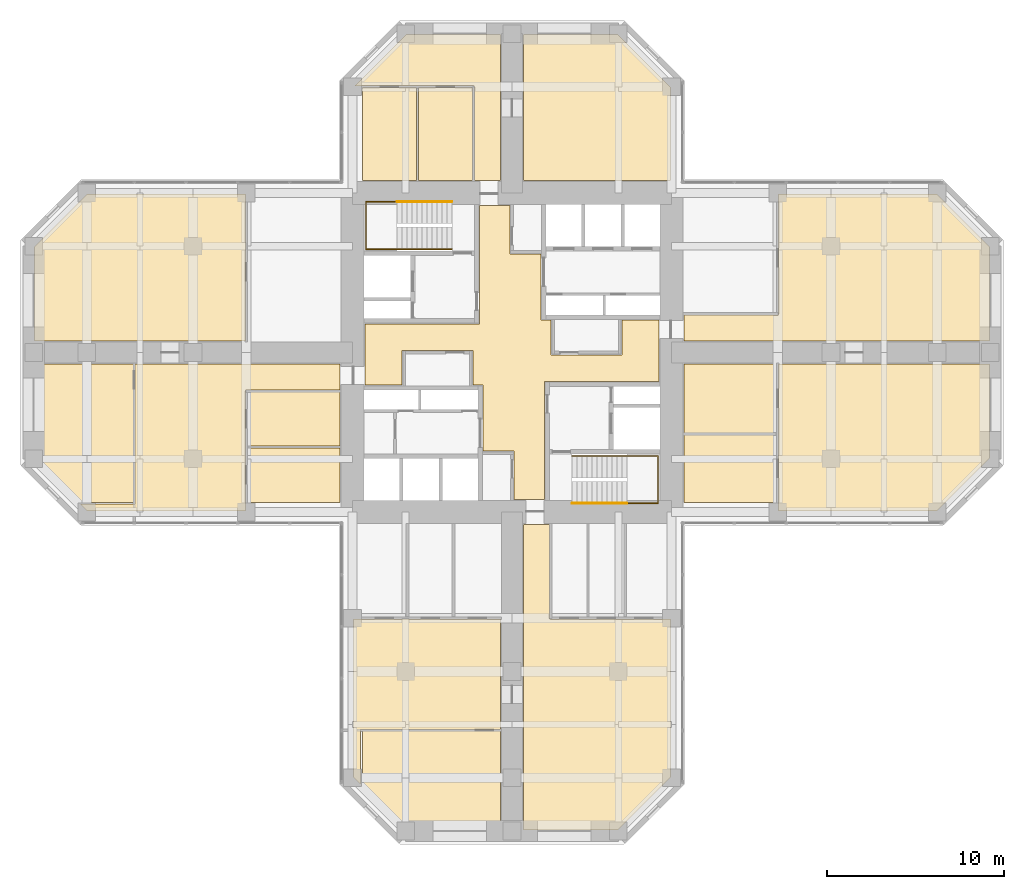
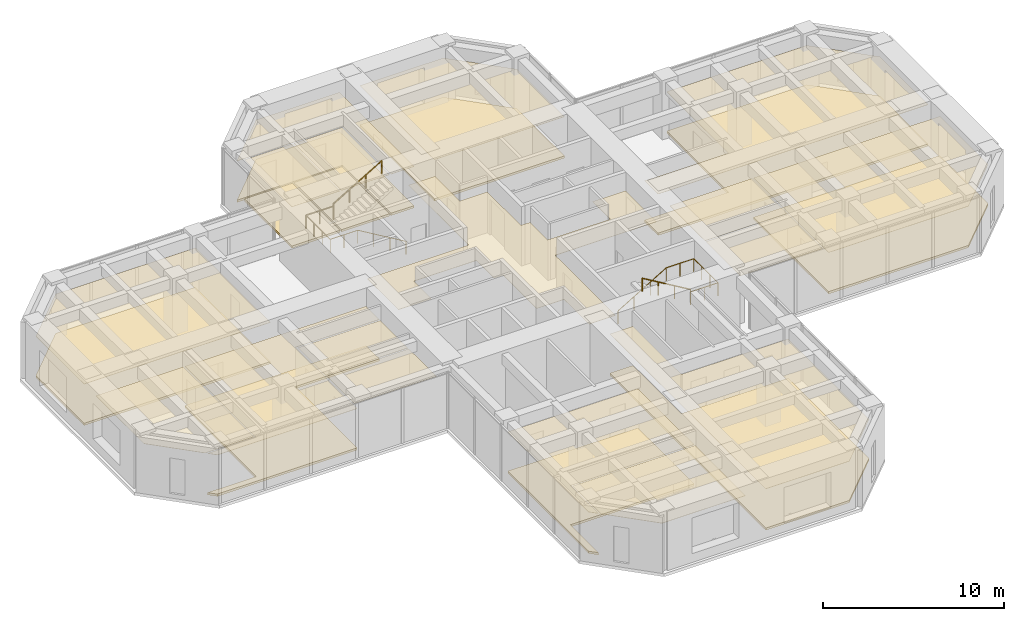
# One storey, part 12 of 12: 27 coverings, 4 railings.
"""IFC4 building model written with IfcOpenShell, lengths in metres."""

from ifc_helpers import new_model, si_unit, direction, frame, origin, origin_2d, place, context, subcontext, project, spatial, polyline, circle, outline, extrude, material, layer, layer_set, constituent, constituent_set, type_object, element, save


model = new_model("IFC4")

# Units and contexts
model_context = context("Model", 3, precision=1e-05, world=origin(), true_north=direction((0.0, 1.0)))
body_context = subcontext(model_context, "Body", "Model", "MODEL_VIEW")
ifc_project = project(units=[si_unit("LENGTHUNIT", "METRE"), si_unit("AREAUNIT", "SQUARE_METRE"), si_unit("VOLUMEUNIT", "CUBIC_METRE"), si_unit("PLANEANGLEUNIT", "RADIAN"), si_unit("MASSUNIT", "GRAM", prefix="KILO")], contexts=[model_context])

# Site, building, storey
site_placement = place(None, origin())
site = spatial("IfcSite", under=ifc_project, at=site_placement, CompositionType="ELEMENT")
building_placement = place(site_placement, origin())
building = spatial("IfcBuilding", under=site, at=building_placement, Name="Torre Cruceta", CompositionType="ELEMENT")
storey_placement = place(building_placement, frame((0.0, 0.0, 140.5)))
storey = spatial("IfcBuildingStorey", under=building, at=storey_placement, Name="L34", CompositionType="ELEMENT", Elevation=140.5)

# Railings
ifc_material_1 = material(Name="Stainless steel 1.4401", Category="steel")
railing_type = type_object("IfcRailingType", Name="HANDRAIL 900", PredefinedType="HANDRAIL", material=ifc_material_1)
railing_1_placement = place(storey_placement, frame((-3.39990234375, 5.8349609375, 0.166748046875)))
element("IfcRailing", 1, at=railing_1_placement, inside=storey, type_object=railing_type, Name="Handrail HR1 ST1 L34", PredefinedType="HANDRAIL", context=body_context, shape_type="SweptSolid", body=[
    extrude(circle(Radius=0.02392578125, at=origin_2d()), frame((0.0, 0.0, 0.8759765625), z_axis=(-0.859308565015, 0.0, 0.511457515432), x_axis=(0.0, -1.0, 0.0)), (0.0, 0.0, 1.0), 3.58447265625),
    extrude(circle(Radius=0.02392578125, at=origin_2d()), frame((-3.080078125, 0.0, 2.708984375), z_axis=(-1.0, 0.0, 0.0), x_axis=(0.0, -1.0, 0.0)), (0.0, 0.0, 1.0), 1.760009765625),
    extrude(circle(Radius=0.02392578125, at=origin_2d()), frame((-4.840087890625, 0.0, 2.708984375), z_axis=(0.0, 1.0, 0.0), x_axis=(-1.0, 0.0, 0.0)), (0.0, 0.0, 1.0), 2.679931640625),
    extrude(circle(Radius=0.02392578125, at=origin_2d()), frame((-4.840087890625, 2.679931640625, 2.708984375), z_axis=(1.0, 0.0, 0.0), x_axis=(0.0, 1.0, 0.0)), (0.0, 0.0, 1.0), 1.760009765625),
    extrude(circle(Radius=0.02099609375, at=origin_2d()), origin(), (0.0, 0.0, 1.0), 0.851806640625),
    extrude(circle(Radius=0.02099609375, at=origin_2d()), frame((-1.026611328125, 0.0, 0.611083984375)), (0.0, 0.0, 1.0), 0.851806640625),
    extrude(circle(Radius=0.02099609375, at=origin_2d()), frame((-2.053466796875, 0.0, 1.22216796875)), (0.0, 0.0, 1.0), 0.851806640625),
    extrude(circle(Radius=0.02099609375, at=origin_2d()), frame((-3.080078125, 0.0, 1.833251953125)), (0.0, 0.0, 1.0), 0.851806640625),
    extrude(circle(Radius=0.02099609375, at=origin_2d()), frame((-3.9599609375, 0.0, 1.833251953125)), (0.0, 0.0, 1.0), 0.851806640625),
    extrude(circle(Radius=0.02099609375, at=origin_2d()), frame((-4.840087890625, 0.0, 1.833251953125)), (0.0, 0.0, 1.0), 0.851806640625),
    extrude(circle(Radius=0.02099609375, at=origin_2d()), frame((-4.840087890625, 0.893310546875, 1.833251953125)), (0.0, 0.0, 1.0), 0.851806640625),
    extrude(circle(Radius=0.02099609375, at=origin_2d()), frame((-4.840087890625, 1.78662109375, 1.833251953125)), (0.0, 0.0, 1.0), 0.851806640625),
    extrude(circle(Radius=0.02099609375, at=origin_2d()), frame((-4.840087890625, 2.679931640625, 1.833251953125)), (0.0, 0.0, 1.0), 0.851806640625),
    extrude(circle(Radius=0.02099609375, at=origin_2d()), frame((-3.9599609375, 2.679931640625, 1.833251953125)), (0.0, 0.0, 1.0), 0.851806640625),
    extrude(circle(Radius=0.02099609375, at=origin_2d()), frame((-3.080078125, 2.679931640625, 1.833251953125)), (0.0, 0.0, 1.0), 0.851806640625),
])
railing_2_placement = place(storey_placement, frame((-6.47998046875, 8.514892578125, 2.166748046875)))
element("IfcRailing", 2, at=railing_2_placement, inside=storey, type_object=railing_type, Name="Handrail HR1 ST1 L34", PredefinedType="HANDRAIL", context=body_context, shape_type="SweptSolid", body=[
    extrude(circle(Radius=0.02392578125, at=origin_2d()), frame((0.0, 0.0, 0.8759765625), z_axis=(0.859308565015, 0.0, 0.511457515432), x_axis=(0.0, 1.0, 0.0)), (0.0, 0.0, 1.0), 3.58447265625),
    extrude(circle(Radius=0.02099609375, at=origin_2d()), origin(), (0.0, 0.0, 1.0), 0.851806640625),
    extrude(circle(Radius=0.02099609375, at=origin_2d()), frame((1.026611328125, 0.0, 0.611083984375)), (0.0, 0.0, 1.0), 0.851806640625),
    extrude(circle(Radius=0.02099609375, at=origin_2d()), frame((2.053466796875, 0.0, 1.22216796875)), (0.0, 0.0, 1.0), 0.851806640625),
    extrude(circle(Radius=0.02099609375, at=origin_2d()), frame((3.080078125, 0.0, 1.833251953125)), (0.0, 0.0, 1.0), 0.851806640625),
])
railing_3_placement = place(storey_placement, frame((3.39990234375, -5.8349609375, 0.166748046875)))
element("IfcRailing", 3, at=railing_3_placement, inside=storey, type_object=railing_type, Name="Handrail HR1 ST2 L34", PredefinedType="HANDRAIL", context=body_context, shape_type="SweptSolid", body=[
    extrude(circle(Radius=0.02392578125, at=origin_2d()), frame((0.0, 0.0, 0.8759765625), z_axis=(0.859308565015, 0.0, 0.511457515432), x_axis=(0.0, 1.0, 0.0)), (0.0, 0.0, 1.0), 3.58447265625),
    extrude(circle(Radius=0.02392578125, at=origin_2d()), frame((3.080078125, 0.0, 2.708984375), z_axis=(1.0, 0.0, 0.0), x_axis=(0.0, 1.0, 0.0)), (0.0, 0.0, 1.0), 1.760009765625),
    extrude(circle(Radius=0.02392578125, at=origin_2d()), frame((4.840087890625, 0.0, 2.708984375), z_axis=(0.0, -1.0, 0.0), x_axis=(1.0, 0.0, 0.0)), (0.0, 0.0, 1.0), 2.679931640625),
    extrude(circle(Radius=0.02392578125, at=origin_2d()), frame((4.840087890625, -2.679931640625, 2.708984375), z_axis=(-1.0, 0.0, 0.0), x_axis=(0.0, -1.0, 0.0)), (0.0, 0.0, 1.0), 1.760009765625),
    extrude(circle(Radius=0.02099609375, at=origin_2d()), origin(), (0.0, 0.0, 1.0), 0.851806640625),
    extrude(circle(Radius=0.02099609375, at=origin_2d()), frame((1.026611328125, 0.0, 0.611083984375)), (0.0, 0.0, 1.0), 0.851806640625),
    extrude(circle(Radius=0.02099609375, at=origin_2d()), frame((2.053466796875, 0.0, 1.22216796875)), (0.0, 0.0, 1.0), 0.851806640625),
    extrude(circle(Radius=0.02099609375, at=origin_2d()), frame((3.080078125, 0.0, 1.833251953125)), (0.0, 0.0, 1.0), 0.851806640625),
    extrude(circle(Radius=0.02099609375, at=origin_2d()), frame((3.9599609375, 0.0, 1.833251953125)), (0.0, 0.0, 1.0), 0.851806640625),
    extrude(circle(Radius=0.02099609375, at=origin_2d()), frame((4.840087890625, 0.0, 1.833251953125)), (0.0, 0.0, 1.0), 0.851806640625),
    extrude(circle(Radius=0.02099609375, at=origin_2d()), frame((4.840087890625, -0.893310546875, 1.833251953125)), (0.0, 0.0, 1.0), 0.851806640625),
    extrude(circle(Radius=0.02099609375, at=origin_2d()), frame((4.840087890625, -1.78662109375, 1.833251953125)), (0.0, 0.0, 1.0), 0.851806640625),
    extrude(circle(Radius=0.02099609375, at=origin_2d()), frame((4.840087890625, -2.679931640625, 1.833251953125)), (0.0, 0.0, 1.0), 0.851806640625),
    extrude(circle(Radius=0.02099609375, at=origin_2d()), frame((3.9599609375, -2.679931640625, 1.833251953125)), (0.0, 0.0, 1.0), 0.851806640625),
    extrude(circle(Radius=0.02099609375, at=origin_2d()), frame((3.080078125, -2.679931640625, 1.833251953125)), (0.0, 0.0, 1.0), 0.851806640625),
])
railing_4_placement = place(storey_placement, frame((6.47998046875, -8.514892578125, 2.166748046875)))
element("IfcRailing", 4, at=railing_4_placement, inside=storey, type_object=railing_type, Name="Handrail HR1 ST2 L34", PredefinedType="HANDRAIL", context=body_context, shape_type="SweptSolid", body=[
    extrude(circle(Radius=0.02392578125, at=origin_2d()), frame((0.0, 0.0, 0.8759765625), z_axis=(-0.859308565015, 0.0, 0.511457515432), x_axis=(0.0, -1.0, 0.0)), (0.0, 0.0, 1.0), 3.58447265625),
    extrude(circle(Radius=0.02099609375, at=origin_2d()), origin(), (0.0, 0.0, 1.0), 0.851806640625),
    extrude(circle(Radius=0.02099609375, at=origin_2d()), frame((-1.026611328125, 0.0, 0.611083984375)), (0.0, 0.0, 1.0), 0.851806640625),
    extrude(circle(Radius=0.02099609375, at=origin_2d()), frame((-2.053466796875, 0.0, 1.22216796875)), (0.0, 0.0, 1.0), 0.851806640625),
    extrude(circle(Radius=0.02099609375, at=origin_2d()), frame((-3.080078125, 0.0, 1.833251953125)), (0.0, 0.0, 1.0), 0.851806640625),
])

# Coverings
ifc_material_2 = material(Name="Steel DX51D", Category="steel")
ifc_constituent_1 = constituent(ifc_material_2, Name="Panel casing")
ifc_material_3 = material(Name="Calcium sulphate", Category="gypsum")
ifc_constituent_2 = constituent(ifc_material_3, Name="Panel core")
ifc_constituent_set = constituent_set(constituents=[ifc_constituent_1, ifc_constituent_2], Name="Raised access floor panel")
covering_type_1 = type_object("IfcCoveringType", Name="RAISED ACCESS FLOOR 150", PredefinedType="FLOORING", material=ifc_constituent_set)
covering_1_placement = place(storey_placement, origin())
element("IfcCovering", 5, at=covering_1_placement, inside=storey, type_object=covering_type_1, Name="Raised floor L34-027", PredefinedType="FLOORING", context=body_context, shape_type="SweptSolid", body=[
    extrude(outline(polyline([(-2.22509765625, 9.699951171875), (-5.28759765625, 9.699951171875), (-5.28759765625, 14.949951171875), (-2.22509765625, 14.949951171875), (-2.22509765625, 9.699951171875)])), origin(), (0.0, 0.0, 1.0), 0.14990234375),
])
covering_2_placement = place(storey_placement, origin())
element("IfcCovering", 6, at=covering_2_placement, inside=storey, type_object=covering_type_1, Name="Raised floor L34-028", PredefinedType="FLOORING", context=body_context, shape_type="SweptSolid", body=[
    extrude(outline(polyline([(-5.387451171875, 9.699951171875), (-8.449951171875, 9.699951171875), (-8.449951171875, 14.949951171875), (-5.387451171875, 14.949951171875), (-5.387451171875, 9.699951171875)])), origin(), (0.0, 0.0, 1.0), 0.14990234375),
])
covering_3_placement = place(storey_placement, origin())
element("IfcCovering", 7, at=covering_3_placement, inside=storey, type_object=covering_type_1, Name="Raised floor L34-029", PredefinedType="FLOORING", context=body_context, shape_type="SweptSolid", body=[
    extrude(outline(polyline([(-0.64990234375, 17.949951171875), (-0.64990234375, 9.699951171875), (-2.125, 9.699951171875), (-2.125, 15.050048828125), (-8.87939453125, 15.050048828125), (-5.979248046875, 17.949951171875), (-0.64990234375, 17.949951171875)])), origin(), (0.0, 0.0, 1.0), 0.14990234375),
])
covering_4_placement = place(storey_placement, origin())
element("IfcCovering", 8, at=covering_4_placement, inside=storey, type_object=covering_type_1, Name="Raised floor L34-030", PredefinedType="FLOORING", context=body_context, shape_type="SweptSolid", body=[
    extrude(outline(polyline([(5.979248046875, 17.949951171875), (8.949951171875, 14.979248046875), (8.949951171875, 9.699951171875), (0.64990234375, 9.699951171875), (0.64990234375, 17.949951171875), (5.979248046875, 17.949951171875)])), origin(), (0.0, 0.0, 1.0), 0.14990234375),
])
covering_5_placement = place(storey_placement, origin())
element("IfcCovering", 9, at=covering_5_placement, inside=storey, type_object=covering_type_1, Name="Raised floor L34-034", PredefinedType="FLOORING", context=body_context, shape_type="SweptSolid", body=[
    extrude(outline(polyline([(26.949951171875, 0.64990234375), (9.699951171875, 0.64990234375), (9.699951171875, 2.125), (15.050048828125, 2.125), (15.050048828125, 8.949951171875), (23.979248046875, 8.949951171875), (26.949951171875, 5.979248046875), (26.949951171875, 0.64990234375)])), origin(), (0.0, 0.0, 1.0), 0.14990234375),
])
covering_6_placement = place(storey_placement, origin())
element("IfcCovering", 10, at=covering_6_placement, inside=storey, type_object=covering_type_1, Name="Raised floor L34-035", PredefinedType="FLOORING", context=body_context, shape_type="SweptSolid", body=[
    extrude(outline(polyline([(26.949951171875, -5.979248046875), (23.979248046875, -8.949951171875), (15.050048828125, -8.949951171875), (15.050048828125, -0.64990234375), (26.949951171875, -0.64990234375), (26.949951171875, -5.979248046875)])), origin(), (0.0, 0.0, 1.0), 0.14990234375),
])
covering_7_placement = place(storey_placement, origin())
element("IfcCovering", 11, at=covering_7_placement, inside=storey, type_object=covering_type_1, Name="Raised floor L34-043", PredefinedType="FLOORING", context=body_context, shape_type="SweptSolid", body=[
    extrude(outline(polyline([(2.125, -9.699951171875), (2.125, -15.050048828125), (8.949951171875, -15.050048828125), (8.949951171875, -23.979248046875), (5.979248046875, -26.949951171875), (0.64990234375, -26.949951171875), (0.64990234375, -9.699951171875), (2.125, -9.699951171875)])), origin(), (0.0, 0.0, 1.0), 0.14990234375),
])
covering_8_placement = place(storey_placement, origin())
element("IfcCovering", 12, at=covering_8_placement, inside=storey, type_object=covering_type_1, Name="Raised floor L34-044", PredefinedType="FLOORING", context=body_context, shape_type="SweptSolid", body=[
    extrude(outline(polyline([(-8.550048828125, -21.27001953125), (-8.550048828125, -24.37939453125), (-8.949951171875, -23.979248046875), (-8.949951171875, -15.050048828125), (-0.64990234375, -15.050048828125), (-0.64990234375, -21.27001953125), (-8.550048828125, -21.27001953125)])), origin(), (0.0, 0.0, 1.0), 0.14990234375),
])
covering_9_placement = place(storey_placement, origin())
element("IfcCovering", 13, at=covering_9_placement, inside=storey, type_object=covering_type_1, Name="Raised floor L34-049", PredefinedType="FLOORING", context=body_context, shape_type="SweptSolid", body=[
    extrude(outline(polyline([(-9.699951171875, -2.125), (-15.050048828125, -2.125), (-15.050048828125, -8.949951171875), (-23.979248046875, -8.949951171875), (-24.37939453125, -8.550048828125), (-21.27001953125, -8.550048828125), (-21.27001953125, -0.64990234375), (-9.699951171875, -0.64990234375), (-9.699951171875, -2.125)])), origin(), (0.0, 0.0, 1.0), 0.14990234375),
])
covering_10_placement = place(storey_placement, origin())
element("IfcCovering", 14, at=covering_10_placement, inside=storey, type_object=covering_type_1, Name="Raised floor L34-050", PredefinedType="FLOORING", context=body_context, shape_type="SweptSolid", body=[
    extrude(outline(polyline([(-23.979248046875, 8.949951171875), (-15.050048828125, 8.949951171875), (-15.050048828125, 0.64990234375), (-26.949951171875, 0.64990234375), (-26.949951171875, 5.979248046875), (-23.979248046875, 8.949951171875)])), origin(), (0.0, 0.0, 1.0), 0.14990234375),
])
ifc_material_4 = material(Name="Mineral fibre ceiling tile", Category="gypsum")
ifc_layer = layer(ifc_material_4, 0.02001953125)
ifc_layer_set = layer_set([ifc_layer], Name="Mineral fibre ceiling tile")
covering_type_2 = type_object("IfcCoveringType", Name="SUSPENDED CEILING 20", PredefinedType="CEILING", material=ifc_layer_set)
covering_11_placement = place(storey_placement, frame((0.0, 0.0, 2.780029296875)))
element("IfcCovering", 15, at=covering_11_placement, inside=storey, type_object=covering_type_2, Name="Ceiling L34-001", PredefinedType="CEILING", context=body_context, shape_type="SweptSolid", body=[
    extrude(outline(polyline([(1.824951171875, -8.300048828125), (0.125, -8.300048828125), (0.125, -5.550048828125), (-1.625, -5.550048828125), (-1.625, -1.824951171875), (-2.199951171875, -1.824951171875), (-2.199951171875, 0.125), (-6.199951171875, 0.125), (-6.199951171875, -1.824951171875), (-8.300048828125, -1.824951171875), (-8.300048828125, 1.625), (-1.824951171875, 1.625), (-1.824951171875, 8.300048828125), (-0.125, 8.300048828125), (-0.125, 5.550048828125), (1.625, 5.550048828125), (1.625, 1.824951171875), (2.199951171875, 1.824951171875), (2.199951171875, -0.125), (6.199951171875, -0.125), (6.199951171875, 1.824951171875), (8.300048828125, 1.824951171875), (8.300048828125, -1.625), (1.824951171875, -1.625), (1.824951171875, -8.300048828125)])), origin(), (0.0, 0.0, 1.0), 0.02001953125),
])
covering_12_placement = place(storey_placement, frame((0.0, 0.0, 2.780029296875)))
element("IfcCovering", 16, at=covering_12_placement, inside=storey, type_object=covering_type_2, Name="Ceiling L34-027", PredefinedType="CEILING", context=body_context, shape_type="SweptSolid", body=[
    extrude(outline(polyline([(-2.22509765625, 9.699951171875), (-5.28759765625, 9.699951171875), (-5.28759765625, 14.949951171875), (-2.22509765625, 14.949951171875), (-2.22509765625, 9.699951171875)])), origin(), (0.0, 0.0, 1.0), 0.02001953125),
])
covering_13_placement = place(storey_placement, frame((0.0, 0.0, 2.780029296875)))
element("IfcCovering", 17, at=covering_13_placement, inside=storey, type_object=covering_type_2, Name="Ceiling L34-028", PredefinedType="CEILING", context=body_context, shape_type="SweptSolid", body=[
    extrude(outline(polyline([(-5.387451171875, 9.699951171875), (-8.449951171875, 9.699951171875), (-8.449951171875, 14.949951171875), (-5.387451171875, 14.949951171875), (-5.387451171875, 9.699951171875)])), origin(), (0.0, 0.0, 1.0), 0.02001953125),
])
covering_14_placement = place(storey_placement, frame((0.0, 0.0, 2.780029296875)))
element("IfcCovering", 18, at=covering_14_placement, inside=storey, type_object=covering_type_2, Name="Ceiling L34-029", PredefinedType="CEILING", context=body_context, shape_type="SweptSolid", body=[
    extrude(outline(polyline([(-0.64990234375, 17.949951171875), (-0.64990234375, 9.699951171875), (-2.125, 9.699951171875), (-2.125, 15.050048828125), (-8.87939453125, 15.050048828125), (-5.979248046875, 17.949951171875), (-0.64990234375, 17.949951171875)])), origin(), (0.0, 0.0, 1.0), 0.02001953125),
])
covering_15_placement = place(storey_placement, frame((0.0, 0.0, 2.780029296875)))
element("IfcCovering", 19, at=covering_15_placement, inside=storey, type_object=covering_type_2, Name="Ceiling L34-030", PredefinedType="CEILING", context=body_context, shape_type="SweptSolid", body=[
    extrude(outline(polyline([(5.979248046875, 17.949951171875), (8.949951171875, 14.979248046875), (8.949951171875, 9.699951171875), (0.64990234375, 9.699951171875), (0.64990234375, 17.949951171875), (5.979248046875, 17.949951171875)])), origin(), (0.0, 0.0, 1.0), 0.02001953125),
])
covering_16_placement = place(storey_placement, frame((0.0, 0.0, 2.780029296875)))
element("IfcCovering", 20, at=covering_16_placement, inside=storey, type_object=covering_type_2, Name="Ceiling L34-032", PredefinedType="CEILING", context=body_context, shape_type="SweptSolid", body=[
    extrude(outline(polyline([(9.699951171875, -4.550048828125), (9.699951171875, -0.64990234375), (14.949951171875, -0.64990234375), (14.949951171875, -4.550048828125), (9.699951171875, -4.550048828125)])), origin(), (0.0, 0.0, 1.0), 0.02001953125),
])
covering_17_placement = place(storey_placement, frame((0.0, 0.0, 2.780029296875)))
element("IfcCovering", 21, at=covering_17_placement, inside=storey, type_object=covering_type_2, Name="Ceiling L34-033", PredefinedType="CEILING", context=body_context, shape_type="SweptSolid", body=[
    extrude(outline(polyline([(9.699951171875, -8.449951171875), (9.699951171875, -4.64990234375), (14.949951171875, -4.64990234375), (14.949951171875, -8.449951171875), (9.699951171875, -8.449951171875)])), origin(), (0.0, 0.0, 1.0), 0.02001953125),
])
covering_18_placement = place(storey_placement, frame((0.0, 0.0, 2.780029296875)))
element("IfcCovering", 22, at=covering_18_placement, inside=storey, type_object=covering_type_2, Name="Ceiling L34-034", PredefinedType="CEILING", context=body_context, shape_type="SweptSolid", body=[
    extrude(outline(polyline([(26.949951171875, 0.64990234375), (9.699951171875, 0.64990234375), (9.699951171875, 2.125), (15.050048828125, 2.125), (15.050048828125, 8.949951171875), (23.979248046875, 8.949951171875), (26.949951171875, 5.979248046875), (26.949951171875, 0.64990234375)])), origin(), (0.0, 0.0, 1.0), 0.02001953125),
])
covering_19_placement = place(storey_placement, frame((0.0, 0.0, 2.780029296875)))
element("IfcCovering", 23, at=covering_19_placement, inside=storey, type_object=covering_type_2, Name="Ceiling L34-035", PredefinedType="CEILING", context=body_context, shape_type="SweptSolid", body=[
    extrude(outline(polyline([(26.949951171875, -5.979248046875), (23.979248046875, -8.949951171875), (15.050048828125, -8.949951171875), (15.050048828125, -0.64990234375), (26.949951171875, -0.64990234375), (26.949951171875, -5.979248046875)])), origin(), (0.0, 0.0, 1.0), 0.02001953125),
])
covering_20_placement = place(storey_placement, frame((0.0, 0.0, 2.780029296875)))
element("IfcCovering", 24, at=covering_20_placement, inside=storey, type_object=covering_type_2, Name="Ceiling L34-042", PredefinedType="CEILING", context=body_context, shape_type="SweptSolid", body=[
    extrude(outline(polyline([(-8.449951171875, -24.479248046875), (-8.449951171875, -21.3701171875), (-0.64990234375, -21.3701171875), (-0.64990234375, -26.949951171875), (-5.979248046875, -26.949951171875), (-8.449951171875, -24.479248046875)])), origin(), (0.0, 0.0, 1.0), 0.02001953125),
])
covering_21_placement = place(storey_placement, frame((0.0, 0.0, 2.780029296875)))
element("IfcCovering", 25, at=covering_21_placement, inside=storey, type_object=covering_type_2, Name="Ceiling L34-043", PredefinedType="CEILING", context=body_context, shape_type="SweptSolid", body=[
    extrude(outline(polyline([(2.125, -9.699951171875), (2.125, -15.050048828125), (8.949951171875, -15.050048828125), (8.949951171875, -23.979248046875), (5.979248046875, -26.949951171875), (0.64990234375, -26.949951171875), (0.64990234375, -9.699951171875), (2.125, -9.699951171875)])), origin(), (0.0, 0.0, 1.0), 0.02001953125),
])
covering_22_placement = place(storey_placement, frame((0.0, 0.0, 2.780029296875)))
element("IfcCovering", 26, at=covering_22_placement, inside=storey, type_object=covering_type_2, Name="Ceiling L34-044", PredefinedType="CEILING", context=body_context, shape_type="SweptSolid", body=[
    extrude(outline(polyline([(-8.550048828125, -21.27001953125), (-8.550048828125, -24.37939453125), (-8.949951171875, -23.979248046875), (-8.949951171875, -15.050048828125), (-0.64990234375, -15.050048828125), (-0.64990234375, -21.27001953125), (-8.550048828125, -21.27001953125)])), origin(), (0.0, 0.0, 1.0), 0.02001953125),
])
covering_23_placement = place(storey_placement, frame((0.0, 0.0, 2.780029296875)))
element("IfcCovering", 27, at=covering_23_placement, inside=storey, type_object=covering_type_2, Name="Ceiling L34-045", PredefinedType="CEILING", context=body_context, shape_type="SweptSolid", body=[
    extrude(outline(polyline([(-9.699951171875, -2.22509765625), (-9.699951171875, -5.28759765625), (-14.949951171875, -5.28759765625), (-14.949951171875, -2.22509765625), (-9.699951171875, -2.22509765625)])), origin(), (0.0, 0.0, 1.0), 0.02001953125),
])
covering_24_placement = place(storey_placement, frame((0.0, 0.0, 2.780029296875)))
element("IfcCovering", 28, at=covering_24_placement, inside=storey, type_object=covering_type_2, Name="Ceiling L34-046", PredefinedType="CEILING", context=body_context, shape_type="SweptSolid", body=[
    extrude(outline(polyline([(-9.699951171875, -5.387451171875), (-9.699951171875, -8.449951171875), (-14.949951171875, -8.449951171875), (-14.949951171875, -5.387451171875), (-9.699951171875, -5.387451171875)])), origin(), (0.0, 0.0, 1.0), 0.02001953125),
])
covering_25_placement = place(storey_placement, frame((0.0, 0.0, 2.780029296875)))
element("IfcCovering", 29, at=covering_25_placement, inside=storey, type_object=covering_type_2, Name="Ceiling L34-048", PredefinedType="CEILING", context=body_context, shape_type="SweptSolid", body=[
    extrude(outline(polyline([(-26.949951171875, -0.64990234375), (-21.3701171875, -0.64990234375), (-21.3701171875, -8.449951171875), (-24.479248046875, -8.449951171875), (-26.949951171875, -5.979248046875), (-26.949951171875, -0.64990234375)])), origin(), (0.0, 0.0, 1.0), 0.02001953125),
])
covering_26_placement = place(storey_placement, frame((0.0, 0.0, 2.780029296875)))
element("IfcCovering", 30, at=covering_26_placement, inside=storey, type_object=covering_type_2, Name="Ceiling L34-049", PredefinedType="CEILING", context=body_context, shape_type="SweptSolid", body=[
    extrude(outline(polyline([(-9.699951171875, -2.125), (-15.050048828125, -2.125), (-15.050048828125, -8.949951171875), (-23.979248046875, -8.949951171875), (-24.37939453125, -8.550048828125), (-21.27001953125, -8.550048828125), (-21.27001953125, -0.64990234375), (-9.699951171875, -0.64990234375), (-9.699951171875, -2.125)])), origin(), (0.0, 0.0, 1.0), 0.02001953125),
])
covering_27_placement = place(storey_placement, frame((0.0, 0.0, 2.780029296875)))
element("IfcCovering", 31, at=covering_27_placement, inside=storey, type_object=covering_type_2, Name="Ceiling L34-050", PredefinedType="CEILING", context=body_context, shape_type="SweptSolid", body=[
    extrude(outline(polyline([(-23.979248046875, 8.949951171875), (-15.050048828125, 8.949951171875), (-15.050048828125, 0.64990234375), (-26.949951171875, 0.64990234375), (-26.949951171875, 5.979248046875), (-23.979248046875, 8.949951171875)])), origin(), (0.0, 0.0, 1.0), 0.02001953125),
])

save(model, "model.ifc")
